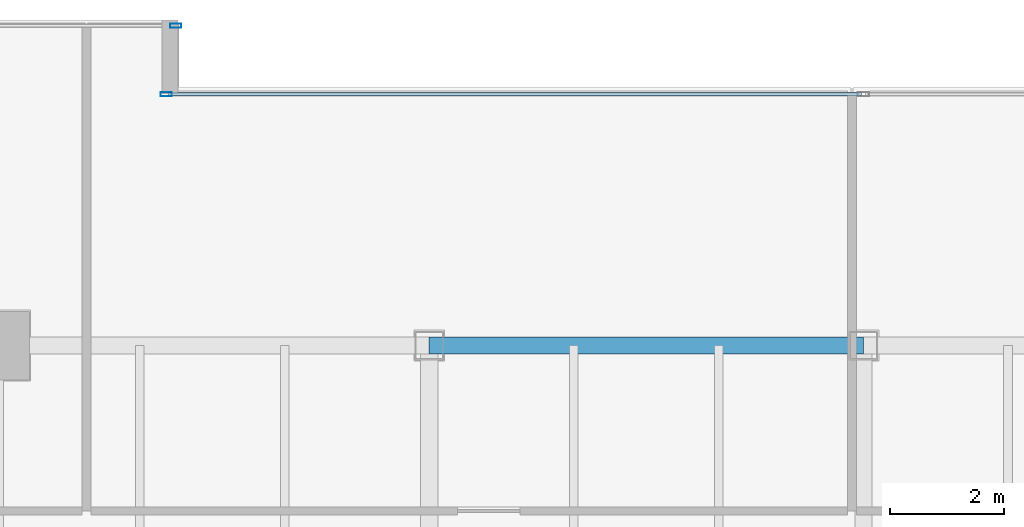
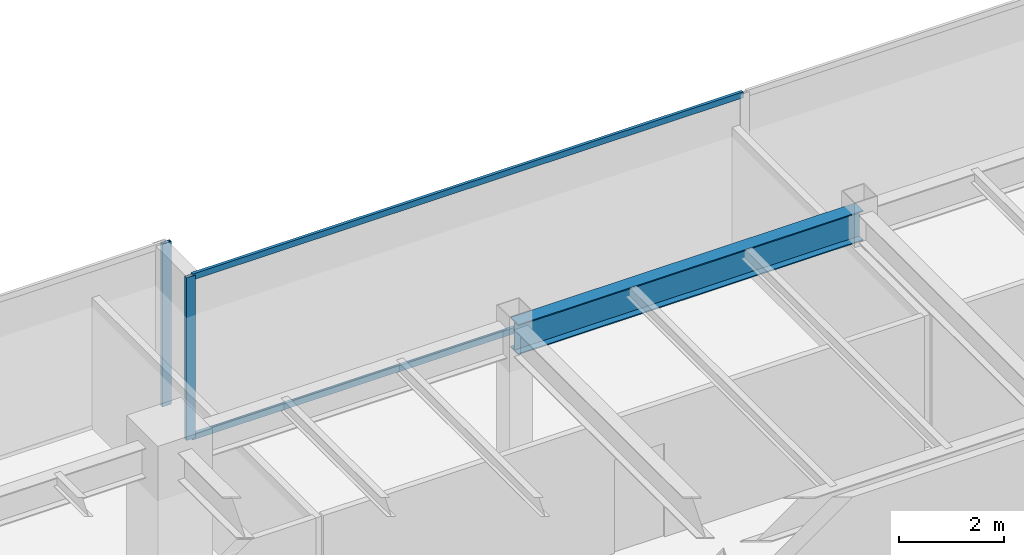
# One storey, part 16 of 33: 4 members, 1 beam, 2 elements without a shape of their own.
"""IFC4 building model written with IfcOpenShell, lengths in metres."""

from ifc_helpers import new_model, si_unit, direction, frame, origin, origin_2d, place, context, subcontext, project, spatial, hollow_rectangle, i_section, extrude, source, transform, mapped, material, layer, layer_set, material_profile, profile_set, type_object, type_shapes, element, aggregate, save


model = new_model("IFC4")

# Units and contexts
model_context = context("Model", 3, precision=1e-05, world=origin(), true_north=direction((0.0, 1.0)))
body_context = subcontext(model_context, "Body", "Model", "MODEL_VIEW")
ifc_project = project(units=[si_unit("LENGTHUNIT", "METRE"), si_unit("AREAUNIT", "SQUARE_METRE"), si_unit("VOLUMEUNIT", "CUBIC_METRE"), si_unit("PLANEANGLEUNIT", "RADIAN"), si_unit("MASSUNIT", "GRAM", prefix="KILO")], contexts=[model_context])

# Site, building, storey
site_placement = place(None, origin())
site = spatial("IfcSite", under=ifc_project, at=site_placement, CompositionType="ELEMENT")
building_placement = place(site_placement, origin())
building = spatial("IfcBuilding", under=site, at=building_placement, Name="Haelvirn Gate Laboratories", CompositionType="ELEMENT")
storey_placement = place(building_placement, frame((0.0, 0.0, 137.89990234375)))
storey = spatial("IfcBuildingStorey", under=building, at=storey_placement, Name="L33", CompositionType="ELEMENT", Elevation=137.89990234375)

# Beam
ifc_material_1 = material(Name="Steel SM355", Category="steel")
ifc_material_profile_1 = material_profile(ifc_material_1, i_section(OverallWidth=0.300048828125, OverallDepth=0.699951171875, WebThickness=0.012939453125, FlangeThickness=0.02392578125, at=origin_2d()), Name="H-700x300x13x24")
ifc_profile_set_1 = profile_set([ifc_material_profile_1], Name="Steel SM355")
beam_type = type_object("IfcBeamType", Name="BM-G-700", PredefinedType="BEAM", material=ifc_profile_set_1)
shared_shape_1 = source(origin(), body_context, "Body", "SweptSolid", [
    extrude(i_section(OverallWidth=0.300048828125, OverallDepth=0.699951171875, WebThickness=0.012939453125, FlangeThickness=0.02392578125, at=origin_2d()), origin(), (0.0, 0.0, 1.0), 7.599853515625),
])
type_shapes(beam_type, [shared_shape_1])
beam_placement = place(storey_placement, frame((29.800048828125, 41.60009765625, 3.440185546875), z_axis=(1.0, 0.0, 0.0), x_axis=(0.0, 1.0, 0.0)))
element("IfcBeam", 1, at=beam_placement, inside=storey, type_object=beam_type, Name="L33 Primary Girder Y41.6 (29.8-37.4)", PredefinedType="BEAM", context=body_context, shape_type="MappedRepresentation", body=[
    mapped(shared_shape_1, transform((0.0, 0.0, 0.0), scale=1.0)),
])

# Curtain wall, members
ifc_material_2 = material(Name="Anodised bronze unitised aluminium & triple low-E glass", Category="aluminium")
ifc_layer = layer(ifc_material_2, 0.179931640625, Name="CW-SYS-3")
ifc_layer_set = layer_set([ifc_layer], Name="Anodised bronze unitised aluminium & triple low-E glass")
curtain_wall_type = type_object("IfcCurtainWallType", Name="CW-SYS-3", PredefinedType="NOTDEFINED", material=ifc_layer_set)
curtain_wall_1_placement = place(storey_placement, origin())
curtain_wall_1 = element("IfcCurtainWall", 2, at=curtain_wall_1_placement, inside=storey, type_object=curtain_wall_type, Name="L33 Unitised Curtain Wall CW-L33-P0-E12-1", PredefinedType="NOTDEFINED")
ifc_material_3 = material(Name="Extruded aluminium 6063-T6 (anodised bronze)", Category="aluminium")
ifc_material_profile_2 = material_profile(ifc_material_3, hollow_rectangle(XDim=0.06494140625, YDim=0.139892578125, WallThickness=0.00390625, at=origin_2d()), Name="CWT-140x65x4")
ifc_profile_set_2 = profile_set([ifc_material_profile_2], Name="Extruded aluminium 6063-T6 (anodised bronze)")
member_type_1 = type_object("IfcMemberType", Name="CWT-T140", PredefinedType="USERDEFINED", material=ifc_profile_set_2)
shared_shape_2 = source(origin(), body_context, "Body", "SweptSolid", [
    extrude(hollow_rectangle(XDim=0.06494140625, YDim=0.139892578125, WallThickness=0.00390625, at=origin_2d()), origin(), (0.0, 0.0, 1.0), 12.12744140625),
])
type_shapes(member_type_1, [shared_shape_2])
member_1_placement = place(storey_placement, frame((25.235107421875, 46.0, 0.03271484375), z_axis=(1.0, 0.0, 0.0), x_axis=(0.0, 1.0, 0.0)))
member_1 = element("IfcMember", 3, at=member_1_placement, type_object=member_type_1, Name="CW3 transom 1.1", ObjectType="TRANSOM", PredefinedType="USERDEFINED", context=body_context, shape_type="MappedRepresentation", body=[
    mapped(shared_shape_2, transform((0.0, 0.0, 0.0), scale=1.0)),
])
member_2_placement = place(storey_placement, frame((25.235107421875, 46.0, 3.757568359375), z_axis=(1.0, 0.0, 0.0), x_axis=(0.0, 1.0, 0.0)))
member_2 = element("IfcMember", 4, at=member_2_placement, type_object=member_type_1, Name="CW3 transom 1.2", ObjectType="TRANSOM", PredefinedType="USERDEFINED", context=body_context, shape_type="MappedRepresentation", body=[
    mapped(shared_shape_2, transform((0.0, 0.0, 0.0), scale=1.0)),
])
ifc_material_profile_3 = material_profile(ifc_material_3, hollow_rectangle(XDim=0.074951171875, YDim=0.199951171875, WallThickness=0.0048828125, at=origin_2d()), Name="CWM-200x75x5")
ifc_profile_set_3 = profile_set([ifc_material_profile_3], Name="Extruded aluminium 6063-T6 (anodised bronze)")
member_type_2 = type_object("IfcMemberType", Name="CWM-T200", PredefinedType="MULLION", material=ifc_profile_set_3)
shared_shape_3 = source(origin(), body_context, "Body", "SweptSolid", [
    extrude(hollow_rectangle(XDim=0.074951171875, YDim=0.199951171875, WallThickness=0.0048828125, at=origin_2d()), origin(), (0.0, 0.0, 1.0), 3.7900390625),
])
type_shapes(member_type_2, [shared_shape_3])
member_3_placement = place(storey_placement, frame((25.197509765625, 46.0, 0.0), z_axis=(0.0, 0.0, 1.0), x_axis=(0.0, 1.0, 0.0)))
member_3 = element("IfcMember", 5, at=member_3_placement, type_object=member_type_2, Name="CW3 mullion 1", PredefinedType="MULLION", context=body_context, shape_type="MappedRepresentation", body=[
    mapped(shared_shape_3, transform((0.0, 0.0, 0.0), scale=1.0)),
])
aggregate(curtain_wall_1, [member_3, member_1, member_2])

# Curtain wall, member
curtain_wall_2_placement = place(storey_placement, origin())
curtain_wall_2 = element("IfcCurtainWall", 6, at=curtain_wall_2_placement, inside=storey, type_object=curtain_wall_type, Name="L33 Unitised Curtain Wall CW-L33-P0-E14-1", PredefinedType="NOTDEFINED")
member_4_placement = place(storey_placement, frame((25.362548828125, 47.199951171875, 0.0), z_axis=(0.0, 0.0, 1.0), x_axis=(0.0, 1.0, 0.0)))
member_4 = element("IfcMember", 7, at=member_4_placement, type_object=member_type_2, Name="CW3 mullion 3", PredefinedType="MULLION", context=body_context, shape_type="MappedRepresentation", body=[
    mapped(shared_shape_3, transform((0.0, 0.0, 0.0), scale=1.0)),
])
aggregate(curtain_wall_2, [member_4])

save(model, "model.ifc")
